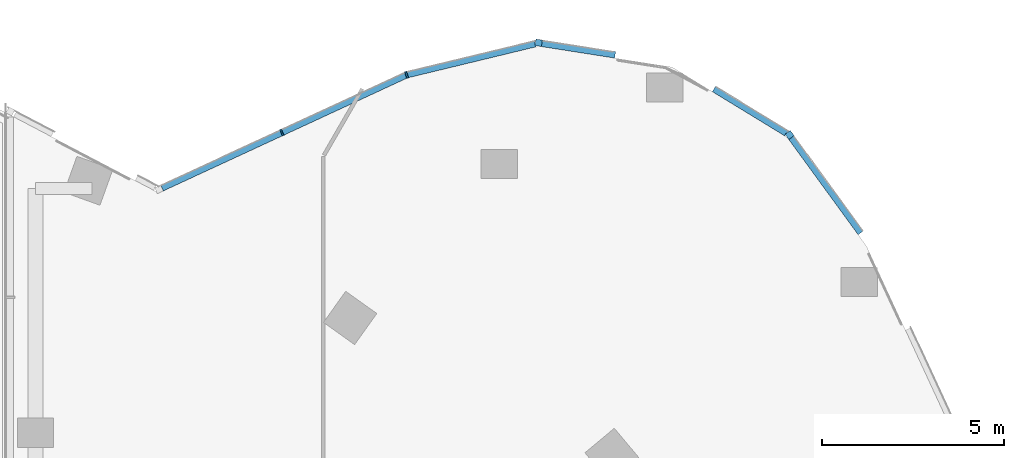
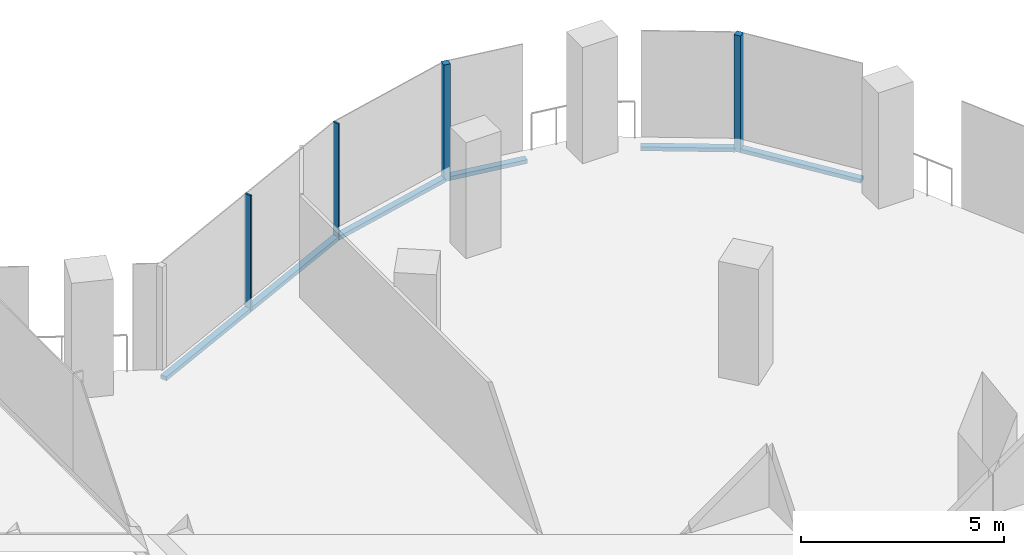
# One storey, part 11 of 26: 9 members, 5 elements without a shape of their own.
"""IFC4 building model written with IfcOpenShell, lengths in metres."""

from ifc_helpers import new_model, si_unit, direction, frame, origin, origin_2d, place, context, subcontext, project, spatial, rectangle, extrude, material, material_profile, profile_set, type_object, element, aggregate, save


model = new_model("IFC4")

# Units and contexts
model_context = context("Model", 3, precision=1e-05, world=origin(), true_north=direction((0.0, 1.0)))
body_context = subcontext(model_context, "Body", "Model", "MODEL_VIEW")
ifc_project = project(units=[si_unit("LENGTHUNIT", "METRE"), si_unit("AREAUNIT", "SQUARE_METRE"), si_unit("VOLUMEUNIT", "CUBIC_METRE"), si_unit("PLANEANGLEUNIT", "RADIAN"), si_unit("MASSUNIT", "GRAM", prefix="KILO")], contexts=[model_context])

# Site, building, storey
site_placement = place(None, origin())
site = spatial("IfcSite", under=ifc_project, at=site_placement, CompositionType="ELEMENT")
building_placement = place(site_placement, origin())
building = spatial("IfcBuilding", under=site, at=building_placement, Name="Orlundy Tower", CompositionType="ELEMENT")
storey_placement = place(building_placement, frame((0.0, 0.0, 253.5)))
storey = spatial("IfcBuildingStorey", under=building, at=storey_placement, Name="L67", CompositionType="ELEMENT", Elevation=253.5)

# Curtain wall, member
ifc_material_1 = material(Name="Aluminium bronze anodised", Category="aluminium")
curtain_wall_type = type_object("IfcCurtainWallType", Name="CW1 wall", PredefinedType="NOTDEFINED", material=ifc_material_1)
curtain_wall_1_placement = place(storey_placement, origin())
curtain_wall_1 = element("IfcCurtainWall", 1, at=curtain_wall_1_placement, inside=storey, type_object=curtain_wall_type, Name="CW1 run 12", PredefinedType="NOTDEFINED")
ifc_material_2 = material(Name="Aluminium bronze anodised", Category="aluminium")
ifc_material_profile_1 = material_profile(ifc_material_2, rectangle(XDim=0.179931640625, YDim=0.179931640625, at=origin_2d()), Name="CW1 corner post 180x180")
ifc_profile_set_1 = profile_set([ifc_material_profile_1], Name="Aluminium bronze anodised")
member_type_1 = type_object("IfcMemberType", Name="CW1 corner post 180x180", PredefinedType="MULLION", material=ifc_profile_set_1)
member_1_placement = place(storey_placement, frame((22.42529296875, 31.712646484375, -0.419921875), z_axis=(0.0, 0.0, 1.0), x_axis=(0.15511748157, 0.987896030416, 0.0)))
member_1 = element("IfcMember", 2, at=member_1_placement, type_object=member_type_1, Name="CW1 mullion 4", PredefinedType="MULLION", context=body_context, shape_type="SweptSolid", body=[
    extrude(rectangle(XDim=0.179931640625, YDim=0.179931640625, at=origin_2d()), origin(), (0.0, 0.0, 1.0), 3.52001953125),
])

curtain_wall_2_placement = place(storey_placement, origin())
curtain_wall_2 = element("IfcCurtainWall", 3, at=curtain_wall_2_placement, inside=storey, type_object=curtain_wall_type, Name="CW1 run 14", PredefinedType="NOTDEFINED")
member_2_placement = place(storey_placement, frame((29.317138671875, 29.181396484375, -0.419921875), z_axis=(0.0, 0.0, 1.0), x_axis=(0.80821081742, 0.588893262489, 0.0)))
member_2 = element("IfcMember", 4, at=member_2_placement, type_object=member_type_1, Name="CW1 mullion 6", PredefinedType="MULLION", context=body_context, shape_type="SweptSolid", body=[
    extrude(rectangle(XDim=0.179931640625, YDim=0.179931640625, at=origin_2d()), origin(), (0.0, 0.0, 1.0), 3.52001953125),
])

curtain_wall_3_placement = place(storey_placement, origin())
curtain_wall_3 = element("IfcCurtainWall", 5, at=curtain_wall_3_placement, inside=storey, type_object=curtain_wall_type, Name="CW1 run 10", PredefinedType="NOTDEFINED")
ifc_material_3 = material(Name="Aluminium bronze anodised", Category="aluminium")
ifc_material_profile_2 = material_profile(ifc_material_3, rectangle(XDim=0.179931640625, YDim=0.050048828125, at=origin_2d()), Name="CW1 mullion 50x180")
ifc_profile_set_2 = profile_set([ifc_material_profile_2], Name="Aluminium bronze anodised")
member_type_2 = type_object("IfcMemberType", Name="CW1 mullion 50x180", PredefinedType="MULLION", material=ifc_profile_set_2)
member_3_placement = place(storey_placement, frame((15.37060546875, 29.250244140625, -0.419921875), z_axis=(0.0, 0.0, 1.0), x_axis=(-0.419975748486, 0.907535327513, 0.0)))
member_3 = element("IfcMember", 6, at=member_3_placement, type_object=member_type_2, Name="CW1 mullion 2", PredefinedType="MULLION", context=body_context, shape_type="SweptSolid", body=[
    extrude(rectangle(XDim=0.179931640625, YDim=0.050048828125, at=origin_2d()), origin(), (0.0, 0.0, 1.0), 3.52001953125),
])

curtain_wall_4_placement = place(storey_placement, origin())
curtain_wall_4 = element("IfcCurtainWall", 7, at=curtain_wall_4_placement, inside=storey, type_object=curtain_wall_type, Name="CW1 run 11", PredefinedType="NOTDEFINED")
member_4_placement = place(storey_placement, frame((18.796142578125, 30.83544921875, -0.419921875), z_axis=(0.0, 0.0, 1.0), x_axis=(-0.329057666512, 0.944309828451, 0.0)))
member_4 = element("IfcMember", 8, at=member_4_placement, type_object=member_type_2, Name="CW1 mullion 3", PredefinedType="MULLION", context=body_context, shape_type="SweptSolid", body=[
    extrude(rectangle(XDim=0.179931640625, YDim=0.050048828125, at=origin_2d()), origin(), (0.0, 0.0, 1.0), 3.52001953125),
])

# Member
ifc_material_4 = material(Name="Aluminium bronze anodised", Category="aluminium")
ifc_material_profile_3 = material_profile(ifc_material_4, rectangle(XDim=0.179931640625, YDim=0.1201171875, at=origin_2d()), Name="CW1 transom 180x120")
ifc_profile_set_3 = profile_set([ifc_material_profile_3], Name="Aluminium bronze anodised")
member_type_3 = type_object("IfcMemberType", Name="CW1 transom 180x120", PredefinedType="USERDEFINED", material=ifc_profile_set_3)
member_5_placement = place(storey_placement, frame((12.0751953125, 27.72509765625, -0.360107421875), z_axis=(0.907528083861, 0.419991401107, 0.0), x_axis=(-0.419991401107, 0.907528083861, 0.0)))
member_5 = element("IfcMember", 9, at=member_5_placement, type_object=member_type_3, Name="CW1 transom", ObjectType="TRANSOM", PredefinedType="USERDEFINED", context=body_context, shape_type="SweptSolid", body=[
    extrude(rectangle(XDim=0.179931640625, YDim=0.1201171875, at=origin_2d()), origin(), (0.0, 0.0, 1.0), 7.380859375),
])

aggregate(curtain_wall_3, [member_3, member_5])

member_6_placement = place(storey_placement, frame((18.820556640625, 30.84130859375, -0.360107421875), z_axis=(0.972009843916, 0.23494012712, 0.0), x_axis=(-0.23494012712, 0.972009843916, 0.0)))
member_6 = element("IfcMember", 10, at=member_6_placement, type_object=member_type_3, Name="CW1 transom", ObjectType="TRANSOM", PredefinedType="USERDEFINED", context=body_context, shape_type="SweptSolid", body=[
    extrude(rectangle(XDim=0.179931640625, YDim=0.1201171875, at=origin_2d()), origin(), (0.0, 0.0, 1.0), 3.611083984375),
])

aggregate(curtain_wall_4, [member_4, member_6])

member_7_placement = place(storey_placement, frame((22.51416015625, 31.69873046875, -0.360107421875), z_axis=(0.987901531391, -0.155082443482, 0.0), x_axis=(0.155082443482, 0.987901531391, 0.0)))
member_7 = element("IfcMember", 11, at=member_7_placement, type_object=member_type_3, Name="CW1 transom", ObjectType="TRANSOM", PredefinedType="USERDEFINED", context=body_context, shape_type="SweptSolid", body=[
    extrude(rectangle(XDim=0.179931640625, YDim=0.1201171875, at=origin_2d()), origin(), (0.0, 0.0, 1.0), 2.037109375),
])

aggregate(curtain_wall_1, [member_1, member_7])

# Curtain wall, member
curtain_wall_5_placement = place(storey_placement, origin())
curtain_wall_5 = element("IfcCurtainWall", 12, at=curtain_wall_5_placement, inside=storey, type_object=curtain_wall_type, Name="CW1 run 13", PredefinedType="NOTDEFINED")
member_8_placement = place(storey_placement, frame((27.243408203125, 30.44775390625, -0.360107421875), z_axis=(0.853468065854, -0.521145143474, 0.0), x_axis=(0.521145143474, 0.853468065854, 0.0)))
member_8 = element("IfcMember", 13, at=member_8_placement, type_object=member_type_3, Name="CW1 transom", ObjectType="TRANSOM", PredefinedType="USERDEFINED", context=body_context, shape_type="SweptSolid", body=[
    extrude(rectangle(XDim=0.179931640625, YDim=0.1201171875, at=origin_2d()), origin(), (0.0, 0.0, 1.0), 2.33251953125),
])
aggregate(curtain_wall_5, [member_8])

# Member
member_9_placement = place(storey_placement, frame((29.3701171875, 29.108642578125, -0.360107421875), z_axis=(0.588880558255, -0.808220074057, 0.0), x_axis=(0.808220074057, 0.588880558255, 0.0)))
member_9 = element("IfcMember", 14, at=member_9_placement, type_object=member_type_3, Name="CW1 transom", ObjectType="TRANSOM", PredefinedType="USERDEFINED", context=body_context, shape_type="SweptSolid", body=[
    extrude(rectangle(XDim=0.179931640625, YDim=0.1201171875, at=origin_2d()), origin(), (0.0, 0.0, 1.0), 3.234619140625),
])

aggregate(curtain_wall_2, [member_2, member_9])

save(model, "model.ifc")
